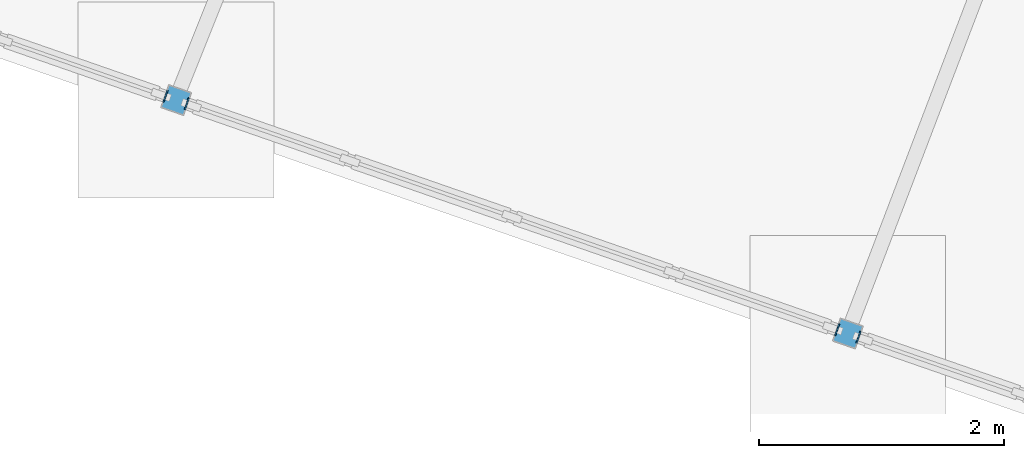
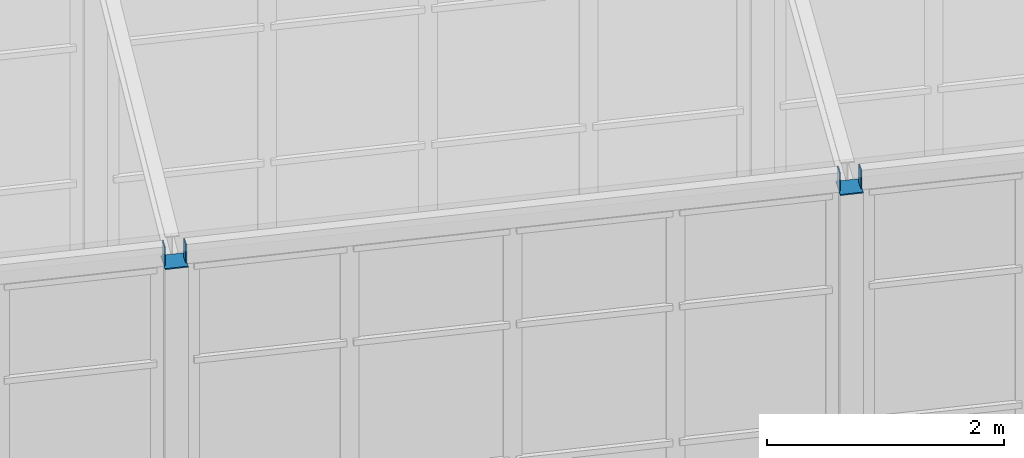
# One storey, part 185 of 226: 6 discrete accessories.
"""IFC4 building model written with IfcOpenShell, lengths in metres."""

from ifc_helpers import new_model, si_unit, direction, frame, origin, origin_2d, place, context, subcontext, project, spatial, rectangle, extrude, material, material_profile, profile_set, type_object, element, save


model = new_model("IFC4")

# Units and contexts
model_context = context("Model", 3, precision=1e-05, world=origin(), true_north=direction((0.0, 1.0)))
body_context = subcontext(model_context, "Body", "Model", "MODEL_VIEW")
ifc_project = project(units=[si_unit("LENGTHUNIT", "METRE"), si_unit("AREAUNIT", "SQUARE_METRE"), si_unit("VOLUMEUNIT", "CUBIC_METRE"), si_unit("PLANEANGLEUNIT", "RADIAN"), si_unit("MASSUNIT", "GRAM", prefix="KILO")], contexts=[model_context])

# Site, building, storey
site_placement = place(None, origin())
site = spatial("IfcSite", under=ifc_project, at=site_placement, CompositionType="ELEMENT")
building_placement = place(site_placement, origin())
building = spatial("IfcBuilding", under=site, at=building_placement, Name="Ceibo Conservatory and Research Tower", CompositionType="ELEMENT")
storey_placement = place(building_placement, origin())
storey = spatial("IfcBuildingStorey", under=building, at=storey_placement, Name="L00", CompositionType="ELEMENT", Elevation=0.0)

# Discrete accessories
ifc_material = material(Name="Steel S355J2", Category="steel")
ifc_material_profile_1 = material_profile(ifc_material, rectangle(XDim=0.10009765625, YDim=0.199951171875, at=origin_2d()), Name="End plate PL 200x100x8")
ifc_profile_set_1 = profile_set([ifc_material_profile_1], Name="Steel S355J2")
discrete_accessory_type_1 = type_object("IfcDiscreteAccessoryType", Name="End plate PL 200x100x8", PredefinedType="USERDEFINED", material=ifc_profile_set_1)
for number, where, z_axis, x_axis, name in (
    (1, (75.630859375, 61.897216796875, 3.89990234375), (0.941194670762, -0.337864753607, 0.0), (0.337864753607, 0.941194670762, 0.0), "Gallery edge beam AUD-VC-EBS02 end plate"),
    (2, (75.8046875, 61.836669921875, 3.89990234375), (0.948683298051, -0.316227766017, 0.0), (0.316227766017, 0.948683298051, 0.0), "Gallery edge beam AUD-VC-EBS03 end plate"),
    (3, (81.119140625, 59.98974609375, 3.89990234375), (0.941194670762, -0.337864753607, 0.0), (0.337864753607, 0.941194670762, 0.0), "Gallery edge beam AUD-VC-EBS03 end plate"),
    (4, (81.29296875, 59.92919921875, 3.89990234375), (0.948683298051, -0.316227766017, 0.0), (0.316227766017, 0.948683298051, 0.0), "Gallery edge beam AUD-VC-EBS04 end plate"),
):
    element("IfcDiscreteAccessory", number, at=place(storey_placement, frame(where, z_axis=z_axis, x_axis=x_axis)), inside=storey, type_object=discrete_accessory_type_1, Name=name, ObjectType="End plate", PredefinedType="USERDEFINED", context=body_context, shape_type="SweptSolid", body=[
        extrude(rectangle(XDim=0.10009765625, YDim=0.199951171875, at=origin_2d()), origin(), (0.0, 0.0, 1.0), 0.010009765625),
    ])
ifc_material_profile_2 = material_profile(ifc_material, rectangle(XDim=0.199951171875, YDim=0.199951171875, at=origin_2d()), Name="End plate PL 200x200x10")
ifc_profile_set_2 = profile_set([ifc_material_profile_2], Name="Steel S355J2")
discrete_accessory_type_2 = type_object("IfcDiscreteAccessoryType", Name="End plate PL 200x200x10", PredefinedType="USERDEFINED", material=ifc_profile_set_2)
for number, where, z_axis, x_axis, name in (
    (5, (75.72265625, 61.865234375, 3.798095703125), (0.0, 0.0, 1.0), (0.944579236191, -0.328283515513, 0.0), "Gallery column AUD-VC-CS02 end plate"),
    (6, (81.2109375, 59.957763671875, 3.798095703125), (0.0, 0.0, 1.0), (0.944579236191, -0.328283515513, 0.0), "Gallery column AUD-VC-CS03 end plate"),
):
    element("IfcDiscreteAccessory", number, at=place(storey_placement, frame(where, z_axis=z_axis, x_axis=x_axis)), inside=storey, type_object=discrete_accessory_type_2, Name=name, ObjectType="End plate", PredefinedType="USERDEFINED", context=body_context, shape_type="SweptSolid", body=[
        extrude(rectangle(XDim=0.199951171875, YDim=0.199951171875, at=origin_2d()), origin(), (0.0, 0.0, 1.0), 0.011962890625),
    ])

save(model, "model.ifc")
